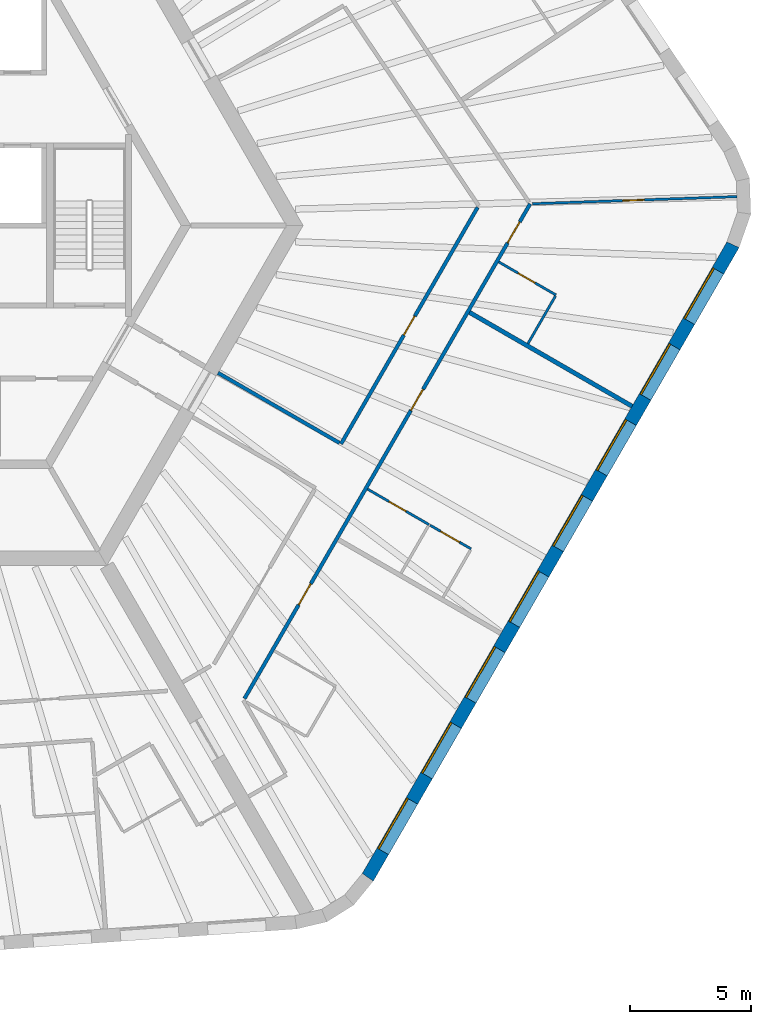
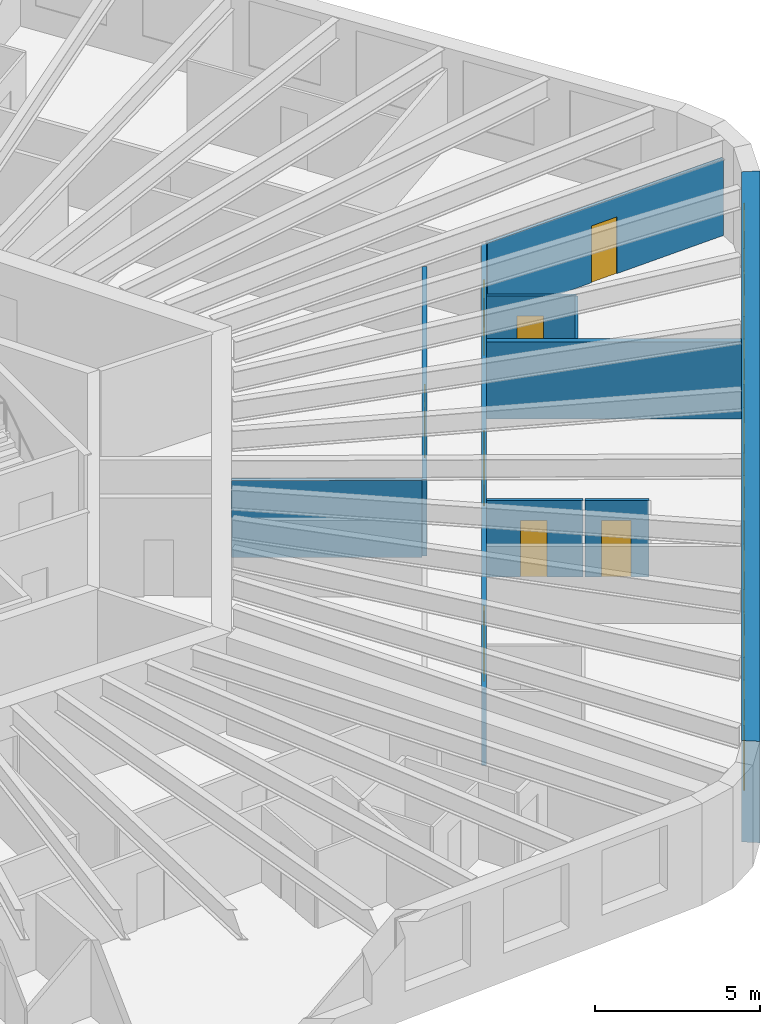
# One storey, part 6 of 12: 10 walls, 8 doors, 8 windows, 16 openings.
"""IFC4 building model written with IfcOpenShell, lengths in metres."""

from ifc_helpers import new_model, si_unit, direction, frame, frame_2d, origin, place, context, subcontext, project, spatial, polyline, rectangle, outline, extrude, material, layer, layer_set, type_object, element, fill, save


model = new_model("IFC4")

# Units and contexts
model_context = context("Model", 3, precision=1e-05, world=origin(), true_north=direction((0.0, 1.0)))
body_context = subcontext(model_context, "Body", "Model", "MODEL_VIEW")
ifc_project = project(units=[si_unit("LENGTHUNIT", "METRE"), si_unit("AREAUNIT", "SQUARE_METRE"), si_unit("VOLUMEUNIT", "CUBIC_METRE"), si_unit("PLANEANGLEUNIT", "RADIAN"), si_unit("MASSUNIT", "GRAM", prefix="KILO")], contexts=[model_context])

# Site, building, storey
site_placement = place(None, origin())
site = spatial("IfcSite", under=ifc_project, at=site_placement, CompositionType="ELEMENT")
building_placement = place(site_placement, origin())
building = spatial("IfcBuilding", under=site, at=building_placement, Name="Tarnside Tower", CompositionType="ELEMENT")
storey_placement = place(building_placement, frame((0.0, 0.0, 142.800048828125)))
storey = spatial("IfcBuildingStorey", under=building, at=storey_placement, Name="L33", CompositionType="ELEMENT", Elevation=142.800048828125)

# Wall, opening, door
ifc_material_1 = material(Name="Gypsum board partition on steel studs", Category="steel")
ifc_layer_1 = layer(ifc_material_1, 0.10009765625)
ifc_layer_set_1 = layer_set([ifc_layer_1], Name="Bathroom wall 100")
wall_type_1 = type_object("IfcWallType", Name="Bathroom wall 100", PredefinedType="PARTITIONING", material=ifc_layer_set_1)
wall_1_placement = place(storey_placement, frame((18.81982421875, -10.85302734375, 0.0), z_axis=(0.0, 0.0, 1.0), x_axis=(0.866046596414, -0.499963291492, 0.0)))
wall_1 = element("IfcWall", 1, at=wall_1_placement, inside=storey, type_object=wall_type_1, Name="Bathroom wall 10138", PredefinedType="PARTITIONING", context=body_context, shape_type="SweptSolid", body=[
    extrude(rectangle(XDim=2.925048828125, YDim=0.10009765625, at=frame_2d((1.46240234375, 0.0))), origin(), (0.0, 0.0, 1.0), 2.837646484375),
])
opening_1_placement = place(wall_1_placement, frame((1.02490234375, 0.0, 0.0)))
opening_1 = element("IfcOpeningElement", 2, at=opening_1_placement, cuts=wall_1, Name="Opening D-B1", PredefinedType="OPENING", context=body_context, shape_type="SweptSolid", body=[
    extrude(rectangle(XDim=0.800048828125, YDim=2.10009765625, at=frame_2d((0.39990234375, 1.050048828125))), frame((0.0, 0.06005859375, 0.0), z_axis=(0.0, -1.0, 0.0), x_axis=(1.0, 0.0, 0.0)), (0.0, 0.0, 1.0), 0.1201171875),
])
ifc_material_2 = material(Name="Timber door leaf", Category="wood")
door_type_1 = type_object("IfcDoorType", Name="Bathroom door 800", OperationType="NOTDEFINED", PredefinedType="DOOR", material=ifc_material_2)
door_1_placement = place(opening_1_placement, origin())
door_1 = element("IfcDoor", 3, at=door_1_placement, inside=storey, type_object=door_type_1, Name="Bathroom door 10032", OperationType="SINGLE_SWING_RIGHT", OverallHeight=2.10009765625, OverallWidth=0.800048828125, PredefinedType="DOOR", context=body_context, shape_type="SweptSolid", body=[
    extrude(rectangle(XDim=0.800048828125, YDim=2.10009765625, at=frame_2d((0.39990234375, 1.050048828125))), frame((0.0, 0.02490234375, 0.0), z_axis=(0.0, -1.0, 0.0), x_axis=(1.0, 0.0, 0.0)), (0.0, 0.0, 1.0), 0.050048828125),
])
fill(opening_1, door_1)

wall_2_placement = place(storey_placement, frame((24.219970703125, -1.499755859375, 0.0), z_axis=(0.0, 0.0, 1.0), x_axis=(0.866012511928, -0.500022328685, 0.0)))
wall_2 = element("IfcWall", 4, at=wall_2_placement, inside=storey, type_object=wall_type_1, Name="Bathroom wall 10144", PredefinedType="PARTITIONING", context=body_context, shape_type="SweptSolid", body=[
    extrude(rectangle(XDim=2.72509765625, YDim=0.10009765625, at=frame_2d((1.362548828125, 0.0))), origin(), (0.0, 0.0, 1.0), 2.837646484375),
])
opening_2_placement = place(wall_2_placement, frame((0.925048828125, 0.0, 0.0)))
opening_2 = element("IfcOpeningElement", 5, at=opening_2_placement, cuts=wall_2, Name="Opening D-B1", PredefinedType="OPENING", context=body_context, shape_type="SweptSolid", body=[
    extrude(rectangle(XDim=0.800048828125, YDim=2.10009765625, at=frame_2d((0.39990234375, 1.050048828125))), frame((0.0, 0.06005859375, 0.0), z_axis=(0.0, -1.0, 0.0), x_axis=(1.0, 0.0, 0.0)), (0.0, 0.0, 1.0), 0.1201171875),
])
door_2_placement = place(opening_2_placement, origin())
door_2 = element("IfcDoor", 6, at=door_2_placement, inside=storey, type_object=door_type_1, Name="Bathroom door 10035", OperationType="SINGLE_SWING_RIGHT", OverallHeight=2.10009765625, OverallWidth=0.800048828125, PredefinedType="DOOR", context=body_context, shape_type="SweptSolid", body=[
    extrude(rectangle(XDim=0.800048828125, YDim=2.10009765625, at=frame_2d((0.39990234375, 1.050048828125))), frame((0.0, 0.02490234375, 0.0), z_axis=(0.0, -1.0, 0.0), x_axis=(1.0, 0.0, 0.0)), (0.0, 0.0, 1.0), 0.050048828125),
])
fill(opening_2, door_2)

# Wall
wall_3_placement = place(storey_placement, frame((26.554931640625, -2.90576171875, 0.0), z_axis=(0.0, 0.0, 1.0), x_axis=(-0.500077800282, -0.865980481111, 0.0)))
element("IfcWall", 7, at=wall_3_placement, inside=storey, type_object=wall_type_1, Name="Bathroom wall 10145", PredefinedType="PARTITIONING", context=body_context, shape_type="SweptSolid", body=[
    extrude(rectangle(XDim=2.260009765625, YDim=0.10009765625, at=frame_2d((1.1298828125, 0.0))), origin(), (0.0, 0.0, 1.0), 2.837646484375),
])

# Wall, openings, doors
ifc_layer_2 = layer(ifc_material_1, 0.14990234375)
ifc_layer_set_2 = layer_set([ifc_layer_2], Name="Corridor wall 150 EI 60")
wall_type_2 = type_object("IfcWallType", Name="Corridor wall 150 EI 60", PredefinedType="PARTITIONING", material=ifc_layer_set_2)
wall_4_placement = place(storey_placement, frame((13.75537109375, -19.47509765625, 0.0), z_axis=(0.0, 0.0, 1.0), x_axis=(0.50000013933, 0.866025323342, 0.0)))
wall_4 = element("IfcWall", 8, at=wall_4_placement, inside=storey, type_object=wall_type_2, Name="Corridor wall 10053", PredefinedType="PARTITIONING", context=body_context, shape_type="SweptSolid", body=[
    extrude(rectangle(XDim=23.5166015625, YDim=0.14990234375, at=frame_2d((11.75830078125, 0.0))), origin(), (0.0, 0.0, 1.0), 2.837646484375),
])
opening_3_placement = place(wall_4_placement, frame((4.456298828125, 0.0, 0.0)))
opening_3 = element("IfcOpeningElement", 9, at=opening_3_placement, cuts=wall_4, Name="Opening D-E1", PredefinedType="OPENING", context=body_context, shape_type="SweptSolid", body=[
    extrude(rectangle(XDim=1.0, YDim=2.10009765625, at=frame_2d((0.5, 1.050048828125))), frame((0.0, 0.0849609375, 0.0), z_axis=(0.0, -1.0, 0.0), x_axis=(1.0, 0.0, 0.0)), (0.0, 0.0, 1.0), 0.169921875),
])
opening_4_placement = place(wall_4_placement, frame((13.69921875, 0.0, 0.0)))
opening_4 = element("IfcOpeningElement", 10, at=opening_4_placement, cuts=wall_4, Name="Opening D-E1", PredefinedType="OPENING", context=body_context, shape_type="SweptSolid", body=[
    extrude(rectangle(XDim=1.0, YDim=2.10009765625, at=frame_2d((0.5, 1.050048828125))), frame((0.0, 0.0849609375, 0.0), z_axis=(0.0, -1.0, 0.0), x_axis=(1.0, 0.0, 0.0)), (0.0, 0.0, 1.0), 0.169921875),
])
opening_5_placement = place(wall_4_placement, frame((21.657958984375, 0.0, 0.0)))
opening_5 = element("IfcOpeningElement", 11, at=opening_5_placement, cuts=wall_4, Name="Opening D-E1", PredefinedType="OPENING", context=body_context, shape_type="SweptSolid", body=[
    extrude(rectangle(XDim=1.0, YDim=2.10009765625, at=frame_2d((0.5, 1.050048828125))), frame((0.0, 0.0849609375, 0.0), z_axis=(0.0, -1.0, 0.0), x_axis=(1.0, 0.0, 0.0)), (0.0, 0.0, 1.0), 0.169921875),
])
door_type_2 = type_object("IfcDoorType", Name="Unit entrance door 1000 FD30S", OperationType="NOTDEFINED", PredefinedType="DOOR", material=ifc_material_2)
door_3_placement = place(opening_3_placement, origin())
door_3 = element("IfcDoor", 12, at=door_3_placement, inside=storey, type_object=door_type_2, Name="Unit door 10029", OperationType="SINGLE_SWING_LEFT", OverallHeight=2.10009765625, OverallWidth=1.0, PredefinedType="DOOR", context=body_context, shape_type="SweptSolid", body=[
    extrude(rectangle(XDim=1.0, YDim=2.10009765625, at=frame_2d((0.5, 1.050048828125))), frame((0.0, 0.02490234375, 0.0), z_axis=(0.0, -1.0, 0.0), x_axis=(1.0, 0.0, 0.0)), (0.0, 0.0, 1.0), 0.050048828125),
])
fill(opening_3, door_3)
door_4_placement = place(opening_4_placement, origin())
door_4 = element("IfcDoor", 13, at=door_4_placement, inside=storey, type_object=door_type_2, Name="Unit door 10031", OperationType="SINGLE_SWING_RIGHT", OverallHeight=2.10009765625, OverallWidth=1.0, PredefinedType="DOOR", context=body_context, shape_type="SweptSolid", body=[
    extrude(rectangle(XDim=1.0, YDim=2.10009765625, at=frame_2d((0.5, 1.050048828125))), frame((0.0, 0.02490234375, 0.0), z_axis=(0.0, -1.0, 0.0), x_axis=(1.0, 0.0, 0.0)), (0.0, 0.0, 1.0), 0.050048828125),
])
fill(opening_4, door_4)
door_5_placement = place(opening_5_placement, origin())
door_5 = element("IfcDoor", 14, at=door_5_placement, inside=storey, type_object=door_type_2, Name="Unit door 10034", OperationType="SINGLE_SWING_RIGHT", OverallHeight=2.10009765625, OverallWidth=1.0, PredefinedType="DOOR", context=body_context, shape_type="SweptSolid", body=[
    extrude(rectangle(XDim=1.0, YDim=2.10009765625, at=frame_2d((0.5, 1.050048828125))), frame((0.0, 0.02490234375, 0.0), z_axis=(0.0, -1.0, 0.0), x_axis=(1.0, 0.0, 0.0)), (0.0, 0.0, 1.0), 0.050048828125),
])
fill(opening_5, door_5)

# Wall, opening, door
wall_5_placement = place(storey_placement, frame((23.350830078125, 0.74462890625, 0.0), z_axis=(0.0, 0.0, 1.0), x_axis=(-0.500009458068, -0.866019943097, 0.0)))
wall_5 = element("IfcWall", 15, at=wall_5_placement, inside=storey, type_object=wall_type_2, Name="Corridor wall 10069", PredefinedType="PARTITIONING", context=body_context, shape_type="SweptSolid", body=[
    extrude(rectangle(XDim=11.241455078125, YDim=0.14990234375, at=frame_2d((5.62060546875, 0.0))), origin(), (0.0, 0.0, 1.0), 2.837646484375),
])
opening_6_placement = place(wall_5_placement, frame((5.170654296875, 0.0, 0.0)))
opening_6 = element("IfcOpeningElement", 16, at=opening_6_placement, cuts=wall_5, Name="Opening D-S1", PredefinedType="OPENING", context=body_context, shape_type="SweptSolid", body=[
    extrude(rectangle(XDim=0.89990234375, YDim=2.10009765625, at=frame_2d((0.449951171875, 1.050048828125))), frame((0.0, 0.0849609375, 0.0), z_axis=(0.0, -1.0, 0.0), x_axis=(1.0, 0.0, 0.0)), (0.0, 0.0, 1.0), 0.169921875),
])
door_type_3 = type_object("IfcDoorType", Name="Service room door 900 FD30S", OperationType="NOTDEFINED", PredefinedType="DOOR", material=ifc_material_2)
door_6_placement = place(opening_6_placement, origin())
door_6 = element("IfcDoor", 17, at=door_6_placement, inside=storey, type_object=door_type_3, Name="Service door 10048", OperationType="SINGLE_SWING_LEFT", OverallHeight=2.10009765625, OverallWidth=0.89990234375, PredefinedType="DOOR", context=body_context, shape_type="SweptSolid", body=[
    extrude(rectangle(XDim=0.89990234375, YDim=2.10009765625, at=frame_2d((0.449951171875, 1.050048828125))), frame((0.0, 0.02490234375, 0.0), z_axis=(0.0, -1.0, 0.0), x_axis=(1.0, 0.0, 0.0)), (0.0, 0.0, 1.0), 0.050048828125),
])
fill(opening_6, door_6)

# Walls
wall_6_placement = place(storey_placement, frame((17.6650390625, -8.953125, 0.0), z_axis=(0.0, 0.0, 1.0), x_axis=(-0.866025774745, 0.499999357477, 0.0)))
element("IfcWall", 18, at=wall_6_placement, inside=storey, type_object=wall_type_2, Name="Corridor wall 10070", PredefinedType="PARTITIONING", context=body_context, shape_type="SweptSolid", body=[
    extrude(rectangle(XDim=5.77490234375, YDim=0.14990234375, at=frame_2d((2.887451171875, 0.0))), origin(), (0.0, 0.0, 1.0), 2.837646484375),
])
ifc_layer_3 = layer(ifc_material_1, 0.179931640625)
ifc_layer_set_3 = layer_set([ifc_layer_3], Name="Demising wall 180 EI 60")
wall_type_3 = type_object("IfcWallType", Name="Demising wall 180 EI 60", PredefinedType="PARTITIONING", material=ifc_layer_set_3)
wall_7_placement = place(storey_placement, frame((29.7099609375, -7.44091796875, 0.0), z_axis=(0.0, 0.0, 1.0), x_axis=(-0.866019273868, 0.500010617176, 0.0)))
element("IfcWall", 19, at=wall_7_placement, inside=storey, type_object=wall_type_3, Name="Demising wall 10141", PredefinedType="PARTITIONING", context=body_context, shape_type="SweptSolid", body=[
    extrude(rectangle(XDim=7.724853515625, YDim=0.179931640625, at=frame_2d((3.8623046875, 0.0))), origin(), (0.0, 0.0, 1.0), 2.837646484375),
])

# Wall, opening, door
ifc_layer_4 = layer(ifc_material_1, 0.10009765625)
ifc_layer_set_4 = layer_set([ifc_layer_4], Name="Partition 100")
wall_type_4 = type_object("IfcWallType", Name="Partition 100", PredefinedType="PARTITIONING", material=ifc_layer_set_4)
wall_8_placement = place(storey_placement, frame((21.396240234375, -12.34033203125, 0.0), z_axis=(0.0, 0.0, 1.0), x_axis=(0.866031321059, -0.49998975084, 0.0)))
wall_8 = element("IfcWall", 20, at=wall_8_placement, inside=storey, type_object=wall_type_4, Name="Partition wall 10139", PredefinedType="PARTITIONING", context=body_context, shape_type="SweptSolid", body=[
    extrude(rectangle(XDim=1.9501953125, YDim=0.10009765625, at=frame_2d((0.97509765625, 0.0))), origin(), (0.0, 0.0, 1.0), 2.837646484375),
])
opening_7_placement = place(wall_8_placement, frame((0.5, 0.0, 0.0)))
opening_7 = element("IfcOpeningElement", 21, at=opening_7_placement, cuts=wall_8, Name="Opening D-I1", PredefinedType="OPENING", context=body_context, shape_type="SweptSolid", body=[
    extrude(rectangle(XDim=0.89990234375, YDim=2.10009765625, at=frame_2d((0.449951171875, 1.050048828125))), frame((0.0, 0.06005859375, 0.0), z_axis=(0.0, -1.0, 0.0), x_axis=(1.0, 0.0, 0.0)), (0.0, 0.0, 1.0), 0.1201171875),
])
door_type_4 = type_object("IfcDoorType", Name="Internal door 900", OperationType="NOTDEFINED", PredefinedType="DOOR", material=ifc_material_2)
door_7_placement = place(opening_7_placement, origin())
door_7 = element("IfcDoor", 22, at=door_7_placement, inside=storey, type_object=door_type_4, Name="Internal door 10033", OperationType="SINGLE_SWING_RIGHT", OverallHeight=2.10009765625, OverallWidth=0.89990234375, PredefinedType="DOOR", context=body_context, shape_type="SweptSolid", body=[
    extrude(rectangle(XDim=0.89990234375, YDim=2.10009765625, at=frame_2d((0.449951171875, 1.050048828125))), frame((0.0, 0.02490234375, 0.0), z_axis=(0.0, -1.0, 0.0), x_axis=(1.0, 0.0, 0.0)), (0.0, 0.0, 1.0), 0.050048828125),
])
fill(opening_7, door_7)

wall_9_placement = place(storey_placement, frame((34.0234375, 1.188232421875, 0.0), z_axis=(0.0, 0.0, 1.0), x_axis=(-0.999390379298, -0.03491231539, 0.0)))
wall_9 = element("IfcWall", 23, at=wall_9_placement, inside=storey, type_object=wall_type_4, Name="Partition wall 10146", PredefinedType="PARTITIONING", context=body_context, shape_type="SweptSolid", body=[
    extrude(rectangle(XDim=8.426513671875, YDim=0.10009765625, at=frame_2d((4.21337890625, 0.0))), origin(), (0.0, 0.0, 1.0), 2.837646484375),
])
opening_8_placement = place(wall_9_placement, frame((3.8076171875, 0.0, 0.0)))
opening_8 = element("IfcOpeningElement", 24, at=opening_8_placement, cuts=wall_9, Name="Opening D-I1", PredefinedType="OPENING", context=body_context, shape_type="SweptSolid", body=[
    extrude(rectangle(XDim=0.89990234375, YDim=2.10009765625, at=frame_2d((0.449951171875, 1.050048828125))), frame((0.0, 0.06005859375, 0.0), z_axis=(0.0, -1.0, 0.0), x_axis=(1.0, 0.0, 0.0)), (0.0, 0.0, 1.0), 0.1201171875),
])
door_8_placement = place(opening_8_placement, origin())
door_8 = element("IfcDoor", 25, at=door_8_placement, inside=storey, type_object=door_type_4, Name="Internal door 10036", OperationType="SINGLE_SWING_LEFT", OverallHeight=2.10009765625, OverallWidth=0.89990234375, PredefinedType="DOOR", context=body_context, shape_type="SweptSolid", body=[
    extrude(rectangle(XDim=0.89990234375, YDim=2.10009765625, at=frame_2d((0.449951171875, 1.050048828125))), frame((0.0, 0.02490234375, 0.0), z_axis=(0.0, -1.0, 0.0), x_axis=(1.0, 0.0, 0.0)), (0.0, 0.0, 1.0), 0.050048828125),
])
fill(opening_8, door_8)

# Wall, openings, windows
ifc_material_3 = material(Name="Facing brick", Category="masonry")
ifc_layer_5 = layer(ifc_material_3, 0.10205078125)
ifc_material_4 = material(Name="Concrete C60/75 precast", Category="concrete")
ifc_layer_6 = layer(ifc_material_4, 0.347900390625)
ifc_material_5 = material(Name="Mineral wool insulation")
ifc_layer_7 = layer(ifc_material_5, 0.10009765625)
ifc_layer_set_5 = layer_set([ifc_layer_5, ifc_layer_6, ifc_layer_7], Name="Tube wall 550 brick faced")
wall_type_5 = type_object("IfcWallType", Name="Tube wall 550 brick faced", PredefinedType="SOLIDWALL", material=ifc_layer_set_5)
wall_10_placement = place(storey_placement, frame((18.830322265625, -26.834716796875, -0.150146484375), z_axis=(0.0, 0.0, 1.0), x_axis=(0.500003800416, 0.866023209602, 0.0)))
wall_10 = element("IfcWall", 26, at=wall_10_placement, inside=storey, type_object=wall_type_5, Name="Tube wall L33 F5 flush 16", PredefinedType="SOLIDWALL", context=body_context, shape_type="SweptSolid", body=[
    extrude(outline(polyline([(-0.0224609375, -0.27490234375), (30.0966796875, -0.27490234375), (30.04541015625, 0.27490234375), (0.0224609375, 0.27490234375), (-0.0224609375, -0.27490234375)])), origin(), (0.0, 0.0, 1.0), 3.75),
])
opening_9_placement = place(wall_10_placement, frame((1.235595703125, 0.0, 1.050048828125)))
opening_9 = element("IfcOpeningElement", 27, at=opening_9_placement, cuts=wall_10, Name="Opening WH", PredefinedType="OPENING", context=body_context, shape_type="SweptSolid", body=[
    extrude(rectangle(XDim=2.39990234375, YDim=2.39990234375, at=frame_2d((1.199951171875, 1.199951171875))), frame((0.0, 0.28515625, 0.0), z_axis=(0.0, -1.0, 0.0), x_axis=(1.0, 0.0, 0.0)), (0.0, 0.0, 1.0), 0.570068359375),
])
opening_10_placement = place(wall_10_placement, frame((4.83544921875, 0.0, 1.050048828125)))
opening_10 = element("IfcOpeningElement", 28, at=opening_10_placement, cuts=wall_10, Name="Opening WH", PredefinedType="OPENING", context=body_context, shape_type="SweptSolid", body=[
    extrude(rectangle(XDim=2.39990234375, YDim=2.39990234375, at=frame_2d((1.199951171875, 1.199951171875))), frame((0.0, 0.28515625, 0.0), z_axis=(0.0, -1.0, 0.0), x_axis=(1.0, 0.0, 0.0)), (0.0, 0.0, 1.0), 0.570068359375),
])
opening_11_placement = place(wall_10_placement, frame((8.435546875, 0.0, 1.050048828125)))
opening_11 = element("IfcOpeningElement", 29, at=opening_11_placement, cuts=wall_10, Name="Opening WH", PredefinedType="OPENING", context=body_context, shape_type="SweptSolid", body=[
    extrude(rectangle(XDim=2.39990234375, YDim=2.39990234375, at=frame_2d((1.199951171875, 1.199951171875))), frame((0.0, 0.28515625, 0.0), z_axis=(0.0, -1.0, 0.0), x_axis=(1.0, 0.0, 0.0)), (0.0, 0.0, 1.0), 0.570068359375),
])
opening_12_placement = place(wall_10_placement, frame((12.035400390625, 0.0, 1.050048828125)))
opening_12 = element("IfcOpeningElement", 30, at=opening_12_placement, cuts=wall_10, Name="Opening WH", PredefinedType="OPENING", context=body_context, shape_type="SweptSolid", body=[
    extrude(rectangle(XDim=2.39990234375, YDim=2.39990234375, at=frame_2d((1.199951171875, 1.199951171875))), frame((0.0, 0.28515625, 0.0), z_axis=(0.0, -1.0, 0.0), x_axis=(1.0, 0.0, 0.0)), (0.0, 0.0, 1.0), 0.570068359375),
])
opening_13_placement = place(wall_10_placement, frame((15.635498046875, 0.0, 1.050048828125)))
opening_13 = element("IfcOpeningElement", 31, at=opening_13_placement, cuts=wall_10, Name="Opening WH", PredefinedType="OPENING", context=body_context, shape_type="SweptSolid", body=[
    extrude(rectangle(XDim=2.39990234375, YDim=2.39990234375, at=frame_2d((1.199951171875, 1.199951171875))), frame((0.0, 0.28515625, 0.0), z_axis=(0.0, -1.0, 0.0), x_axis=(1.0, 0.0, 0.0)), (0.0, 0.0, 1.0), 0.570068359375),
])
opening_14_placement = place(wall_10_placement, frame((19.235595703125, 0.0, 1.050048828125)))
opening_14 = element("IfcOpeningElement", 32, at=opening_14_placement, cuts=wall_10, Name="Opening WH", PredefinedType="OPENING", context=body_context, shape_type="SweptSolid", body=[
    extrude(rectangle(XDim=2.39990234375, YDim=2.39990234375, at=frame_2d((1.199951171875, 1.199951171875))), frame((0.0, 0.28515625, 0.0), z_axis=(0.0, -1.0, 0.0), x_axis=(1.0, 0.0, 0.0)), (0.0, 0.0, 1.0), 0.570068359375),
])
opening_15_placement = place(wall_10_placement, frame((22.83544921875, 0.0, 1.050048828125)))
opening_15 = element("IfcOpeningElement", 33, at=opening_15_placement, cuts=wall_10, Name="Opening WH", PredefinedType="OPENING", context=body_context, shape_type="SweptSolid", body=[
    extrude(rectangle(XDim=2.39990234375, YDim=2.39990234375, at=frame_2d((1.199951171875, 1.199951171875))), frame((0.0, 0.28515625, 0.0), z_axis=(0.0, -1.0, 0.0), x_axis=(1.0, 0.0, 0.0)), (0.0, 0.0, 1.0), 0.570068359375),
])
opening_16_placement = place(wall_10_placement, frame((26.435546875, 0.0, 1.050048828125)))
opening_16 = element("IfcOpeningElement", 34, at=opening_16_placement, cuts=wall_10, Name="Opening WH", PredefinedType="OPENING", context=body_context, shape_type="SweptSolid", body=[
    extrude(rectangle(XDim=2.39990234375, YDim=2.39990234375, at=frame_2d((1.199951171875, 1.199951171875))), frame((0.0, 0.28515625, 0.0), z_axis=(0.0, -1.0, 0.0), x_axis=(1.0, 0.0, 0.0)), (0.0, 0.0, 1.0), 0.570068359375),
])
ifc_material_6 = material(Name="Aluminium-framed double glazing", Category="aluminium")
window_type = type_object("IfcWindowType", Name="Hotel window 2400 x 2400", PartitioningType="DOUBLE_PANEL_VERTICAL", PredefinedType="WINDOW", material=ifc_material_6)
window_1_placement = place(opening_9_placement, frame((0.0, 0.205078125, 0.0)))
window_1 = element("IfcWindow", 35, at=window_1_placement, inside=storey, type_object=window_type, Name="E.WN.L33.F5.00", OverallHeight=2.39990234375, OverallWidth=2.39990234375, PartitioningType="DOUBLE_PANEL_VERTICAL", PredefinedType="WINDOW", context=body_context, shape_type="SweptSolid", body=[
    extrude(rectangle(XDim=2.39990234375, YDim=2.39990234375, at=frame_2d((1.199951171875, 1.199951171875))), frame((0.0, 0.030029296875, 0.0), z_axis=(0.0, -1.0, 0.0), x_axis=(1.0, 0.0, 0.0)), (0.0, 0.0, 1.0), 0.06005859375),
])
fill(opening_9, window_1)
window_2_placement = place(opening_10_placement, frame((0.0, 0.205078125, 0.0)))
window_2 = element("IfcWindow", 36, at=window_2_placement, inside=storey, type_object=window_type, Name="E.WN.L33.F5.01", OverallHeight=2.39990234375, OverallWidth=2.39990234375, PartitioningType="DOUBLE_PANEL_VERTICAL", PredefinedType="WINDOW", context=body_context, shape_type="SweptSolid", body=[
    extrude(rectangle(XDim=2.39990234375, YDim=2.39990234375, at=frame_2d((1.199951171875, 1.199951171875))), frame((0.0, 0.030029296875, 0.0), z_axis=(0.0, -1.0, 0.0), x_axis=(1.0, 0.0, 0.0)), (0.0, 0.0, 1.0), 0.06005859375),
])
fill(opening_10, window_2)
window_3_placement = place(opening_11_placement, frame((0.0, 0.205078125, 0.0)))
window_3 = element("IfcWindow", 37, at=window_3_placement, inside=storey, type_object=window_type, Name="E.WN.L33.F5.02", OverallHeight=2.39990234375, OverallWidth=2.39990234375, PartitioningType="DOUBLE_PANEL_VERTICAL", PredefinedType="WINDOW", context=body_context, shape_type="SweptSolid", body=[
    extrude(rectangle(XDim=2.39990234375, YDim=2.39990234375, at=frame_2d((1.199951171875, 1.199951171875))), frame((0.0, 0.030029296875, 0.0), z_axis=(0.0, -1.0, 0.0), x_axis=(1.0, 0.0, 0.0)), (0.0, 0.0, 1.0), 0.06005859375),
])
fill(opening_11, window_3)
window_4_placement = place(opening_12_placement, frame((0.0, 0.205078125, 0.0)))
window_4 = element("IfcWindow", 38, at=window_4_placement, inside=storey, type_object=window_type, Name="E.WN.L33.F5.03", OverallHeight=2.39990234375, OverallWidth=2.39990234375, PartitioningType="DOUBLE_PANEL_VERTICAL", PredefinedType="WINDOW", context=body_context, shape_type="SweptSolid", body=[
    extrude(rectangle(XDim=2.39990234375, YDim=2.39990234375, at=frame_2d((1.199951171875, 1.199951171875))), frame((0.0, 0.030029296875, 0.0), z_axis=(0.0, -1.0, 0.0), x_axis=(1.0, 0.0, 0.0)), (0.0, 0.0, 1.0), 0.06005859375),
])
fill(opening_12, window_4)
window_5_placement = place(opening_13_placement, frame((0.0, 0.205078125, 0.0)))
window_5 = element("IfcWindow", 39, at=window_5_placement, inside=storey, type_object=window_type, Name="E.WN.L33.F5.04", OverallHeight=2.39990234375, OverallWidth=2.39990234375, PartitioningType="DOUBLE_PANEL_VERTICAL", PredefinedType="WINDOW", context=body_context, shape_type="SweptSolid", body=[
    extrude(rectangle(XDim=2.39990234375, YDim=2.39990234375, at=frame_2d((1.199951171875, 1.199951171875))), frame((0.0, 0.030029296875, 0.0), z_axis=(0.0, -1.0, 0.0), x_axis=(1.0, 0.0, 0.0)), (0.0, 0.0, 1.0), 0.06005859375),
])
fill(opening_13, window_5)
window_6_placement = place(opening_14_placement, frame((0.0, 0.205078125, 0.0)))
window_6 = element("IfcWindow", 40, at=window_6_placement, inside=storey, type_object=window_type, Name="E.WN.L33.F5.05", OverallHeight=2.39990234375, OverallWidth=2.39990234375, PartitioningType="DOUBLE_PANEL_VERTICAL", PredefinedType="WINDOW", context=body_context, shape_type="SweptSolid", body=[
    extrude(rectangle(XDim=2.39990234375, YDim=2.39990234375, at=frame_2d((1.199951171875, 1.199951171875))), frame((0.0, 0.030029296875, 0.0), z_axis=(0.0, -1.0, 0.0), x_axis=(1.0, 0.0, 0.0)), (0.0, 0.0, 1.0), 0.06005859375),
])
fill(opening_14, window_6)
window_7_placement = place(opening_15_placement, frame((0.0, 0.205078125, 0.0)))
window_7 = element("IfcWindow", 41, at=window_7_placement, inside=storey, type_object=window_type, Name="E.WN.L33.F5.06", OverallHeight=2.39990234375, OverallWidth=2.39990234375, PartitioningType="DOUBLE_PANEL_VERTICAL", PredefinedType="WINDOW", context=body_context, shape_type="SweptSolid", body=[
    extrude(rectangle(XDim=2.39990234375, YDim=2.39990234375, at=frame_2d((1.199951171875, 1.199951171875))), frame((0.0, 0.030029296875, 0.0), z_axis=(0.0, -1.0, 0.0), x_axis=(1.0, 0.0, 0.0)), (0.0, 0.0, 1.0), 0.06005859375),
])
fill(opening_15, window_7)
window_8_placement = place(opening_16_placement, frame((0.0, 0.205078125, 0.0)))
window_8 = element("IfcWindow", 42, at=window_8_placement, inside=storey, type_object=window_type, Name="E.WN.L33.F5.07", OverallHeight=2.39990234375, OverallWidth=2.39990234375, PartitioningType="DOUBLE_PANEL_VERTICAL", PredefinedType="WINDOW", context=body_context, shape_type="SweptSolid", body=[
    extrude(rectangle(XDim=2.39990234375, YDim=2.39990234375, at=frame_2d((1.199951171875, 1.199951171875))), frame((0.0, 0.030029296875, 0.0), z_axis=(0.0, -1.0, 0.0), x_axis=(1.0, 0.0, 0.0)), (0.0, 0.0, 1.0), 0.06005859375),
])
fill(opening_16, window_8)

save(model, "model.ifc")
